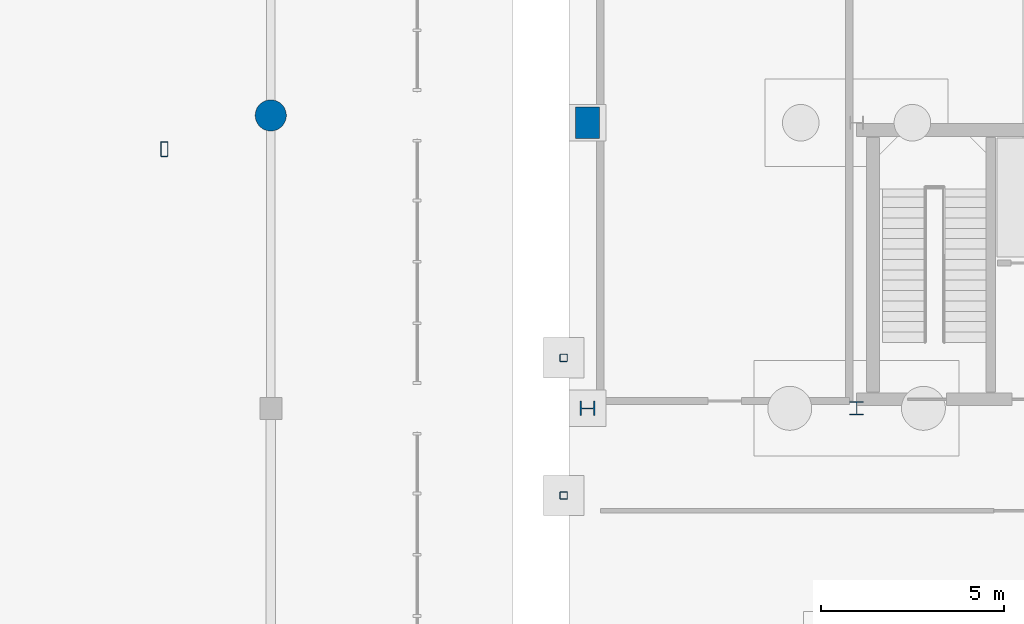
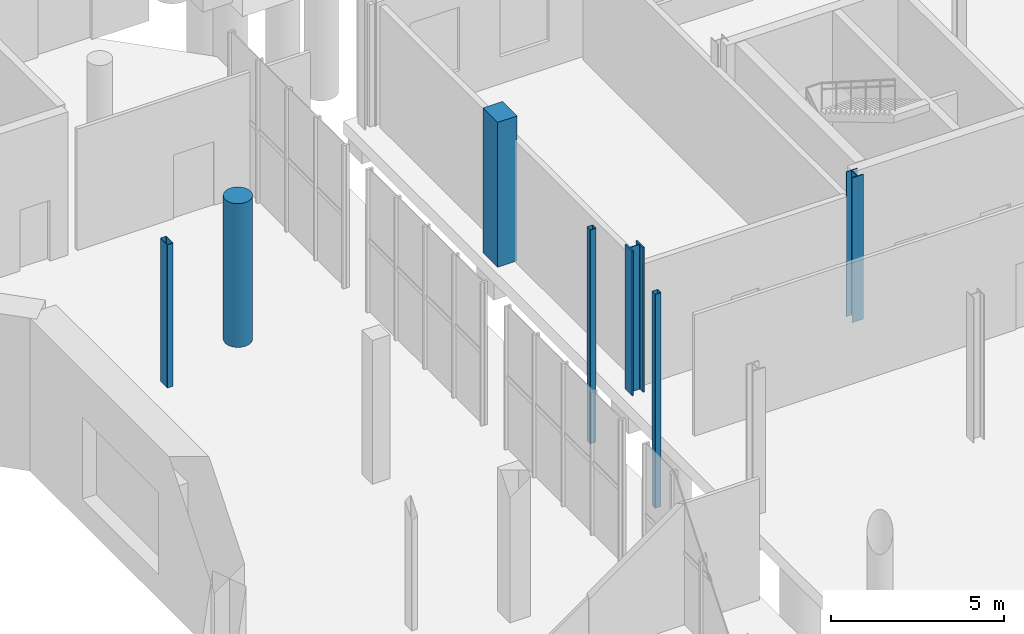
# One storey, part 17 of 87: 7 columns.
"""IFC4 building model written with IfcOpenShell, lengths in metres."""

from ifc_helpers import new_model, si_unit, direction, frame, origin, origin_2d, place, context, subcontext, project, spatial, rectangle, hollow_rectangle, circle, i_section, extrude, material, material_profile, profile_set, type_object, element, save


model = new_model("IFC4")

# Units and contexts
model_context = context("Model", 3, precision=1e-05, world=origin(), true_north=direction((0.0, 1.0)))
body_context = subcontext(model_context, "Body", "Model", "MODEL_VIEW")
ifc_project = project(units=[si_unit("LENGTHUNIT", "METRE"), si_unit("AREAUNIT", "SQUARE_METRE"), si_unit("VOLUMEUNIT", "CUBIC_METRE"), si_unit("PLANEANGLEUNIT", "RADIAN"), si_unit("MASSUNIT", "GRAM", prefix="KILO")], contexts=[model_context])

# Site, building, storey
site_placement = place(None, origin())
site = spatial("IfcSite", under=ifc_project, at=site_placement, CompositionType="ELEMENT")
building_placement = place(site_placement, origin())
building = spatial("IfcBuilding", under=site, at=building_placement, Name="Brisemont Oceanarium", CompositionType="ELEMENT")
storey_placement = place(building_placement, origin())
storey = spatial("IfcBuildingStorey", under=building, at=storey_placement, Name="L00", CompositionType="ELEMENT", Elevation=0.0)

# Columns
ifc_material_1 = material(Name="Structural Steel ASTM A500 Gr.C", Category="steel")
ifc_material_profile_1 = material_profile(ifc_material_1, hollow_rectangle(XDim=0.202880859375, YDim=0.406005859375, WallThickness=0.01171875, InnerFilletRadius=0.01220703125, OuterFilletRadius=0.02392578125, at=origin_2d()), Name="HSS16X8X1/2")
ifc_profile_set_1 = profile_set([ifc_material_profile_1], Name="Structural Steel ASTM A500 Gr.C")
column_type_1 = type_object("IfcColumnType", Name="COL-HSS16X8", PredefinedType="COLUMN", material=ifc_profile_set_1)
column_1_placement = place(storey_placement, frame((101.091796875, 63.07958984375, 0.0), z_axis=(0.0, 0.0, 1.0), x_axis=(1.0, 0.0, 0.0)))
element("IfcColumn", 1, at=column_1_placement, inside=storey, type_object=column_type_1, Name="V1 dome drum pier L00.1", PredefinedType="COLUMN", context=body_context, shape_type="SweptSolid", body=[
    extrude(hollow_rectangle(XDim=0.202880859375, YDim=0.406005859375, WallThickness=0.01171875, InnerFilletRadius=0.01220703125, OuterFilletRadius=0.02392578125, at=origin_2d()), origin(), (0.0, 0.0, 1.0), 5.06005859375),
])
ifc_material_2 = material(Name="Structural Steel ASTM A500 Gr.C", Category="steel")
ifc_material_profile_2 = material_profile(ifc_material_2, hollow_rectangle(XDim=0.202880859375, YDim=0.202880859375, WallThickness=0.0087890625, InnerFilletRadius=0.009033203125, OuterFilletRadius=0.01806640625, at=origin_2d()), Name="HSS8X8X3/8")
ifc_profile_set_2 = profile_set([ifc_material_profile_2], Name="Structural Steel ASTM A500 Gr.C")
column_type_2 = type_object("IfcColumnType", Name="COL-HSS8X8", PredefinedType="COLUMN", material=ifc_profile_set_2)
for number, where, z_axis, x_axis, name in (
    (2, (112.0, 53.6201171875, -2.39990234375), (0.0, 0.0, 1.0), (1.0, 0.0, 0.0), "Seismic bridge pier L00"),
    (3, (112.0, 57.3798828125, -2.39990234375), (0.0, 0.0, 1.0), (1.0, 0.0, 0.0), "Seismic bridge pier L00"),
):
    element("IfcColumn", number, at=place(storey_placement, frame(where, z_axis=z_axis, x_axis=x_axis)), inside=storey, type_object=column_type_2, Name=name, PredefinedType="COLUMN", context=body_context, shape_type="SweptSolid", body=[
        extrude(hollow_rectangle(XDim=0.202880859375, YDim=0.202880859375, WallThickness=0.0087890625, InnerFilletRadius=0.009033203125, OuterFilletRadius=0.01806640625, at=origin_2d()), origin(), (0.0, 0.0, 1.0), 7.559814453125),
    ])
ifc_material_3 = material(Name="Concrete C40/50", Category="concrete")
ifc_material_profile_3 = material_profile(ifc_material_3, circle(Radius=0.425048828125, at=origin_2d()), Name="RC-COL-D850")
ifc_profile_set_3 = profile_set([ifc_material_profile_3], Name="Concrete C40/50")
column_type_3 = type_object("IfcColumnType", Name="COL-RCD850", PredefinedType="COLUMN", material=ifc_profile_set_3)
column_2_placement = place(storey_placement, frame((104.0, 64.0, 0.0), z_axis=(0.0, 0.0, 1.0), x_axis=(1.0, 0.0, 0.0)))
element("IfcColumn", 4, at=column_2_placement, inside=storey, type_object=column_type_3, Name="V1 L00 column (6,4)", PredefinedType="COLUMN", context=body_context, shape_type="SweptSolid", body=[
    extrude(circle(Radius=0.425048828125, at=origin_2d()), origin(), (0.0, 0.0, 1.0), 5.080078125),
])
ifc_material_4 = material(Name="Structural Steel ASTM A992 Gr.50", Category="steel")
ifc_material_profile_4 = material_profile(ifc_material_4, i_section(OverallWidth=0.3740234375, OverallDepth=0.3720703125, WebThickness=0.016357421875, FlangeThickness=0.026123046875, FilletRadius=0.014892578125, at=origin_2d()), Name="W14X132")
ifc_profile_set_4 = profile_set([ifc_material_profile_4], Name="Structural Steel ASTM A992 Gr.50")
column_type_4 = type_object("IfcColumnType", Name="COL-W14X132", PredefinedType="COLUMN", material=ifc_profile_set_4)
column_3_placement = place(storey_placement, frame((120.0, 56.0, 0.0), z_axis=(0.0, 0.0, 1.0), x_axis=(1.0, 0.0, 0.0)))
element("IfcColumn", 5, at=column_3_placement, inside=storey, type_object=column_type_4, Name="V5E L00 column (1,3)", PredefinedType="COLUMN", context=body_context, shape_type="SweptSolid", body=[
    extrude(i_section(OverallWidth=0.3740234375, OverallDepth=0.3720703125, WebThickness=0.016357421875, FlangeThickness=0.026123046875, FilletRadius=0.014892578125, at=origin_2d()), origin(), (0.0, 0.0, 1.0), 5.1201171875),
])
ifc_material_5 = material(Name="Structural Steel ASTM A992 Gr.50", Category="steel")
ifc_material_profile_5 = material_profile(ifc_material_5, i_section(OverallWidth=0.404052734375, OverallDepth=0.406982421875, WebThickness=0.027099609375, FlangeThickness=0.043701171875, FilletRadius=0.014892578125, at=origin_2d()), Name="W14X233")
ifc_profile_set_5 = profile_set([ifc_material_profile_5], Name="Structural Steel ASTM A992 Gr.50")
column_type_5 = type_object("IfcColumnType", Name="COL-W14X233", PredefinedType="COLUMN", material=ifc_profile_set_5)
column_4_placement = place(storey_placement, frame((112.64990234375, 56.0, 0.0), z_axis=(0.0, 0.0, 1.0), x_axis=(0.0, 1.0, 0.0)))
element("IfcColumn", 6, at=column_4_placement, inside=storey, type_object=column_type_5, Name="V5E L00 column (0,3)", PredefinedType="COLUMN", context=body_context, shape_type="SweptSolid", body=[
    extrude(i_section(OverallWidth=0.404052734375, OverallDepth=0.406982421875, WebThickness=0.027099609375, FlangeThickness=0.043701171875, FilletRadius=0.014892578125, at=origin_2d()), origin(), (0.0, 0.0, 1.0), 5.1201171875),
])
ifc_material_6 = material(Name="Precast Concrete C40/50", Category="concrete")
ifc_material_profile_6 = material_profile(ifc_material_6, rectangle(XDim=0.64990234375, YDim=0.85009765625, at=origin_2d()), Name="RC-PIL-650X850")
ifc_profile_set_6 = profile_set([ifc_material_profile_6], Name="Precast Concrete C40/50")
column_type_6 = type_object("IfcColumnType", Name="PIL-RC650X850", PredefinedType="PILASTER", material=ifc_profile_set_6)
column_5_placement = place(storey_placement, frame((112.64990234375, 63.800048828125, 0.0), z_axis=(0.0, 0.0, 1.0), x_axis=(1.0, 0.0, 0.0)))
element("IfcColumn", 7, at=column_5_placement, inside=storey, type_object=column_type_6, Name="V5E L00 column (0,4)", PredefinedType="PILASTER", context=body_context, shape_type="SweptSolid", body=[
    extrude(rectangle(XDim=0.64990234375, YDim=0.85009765625, at=origin_2d()), origin(), (0.0, 0.0, 1.0), 5.1201171875),
])

save(model, "model.ifc")
